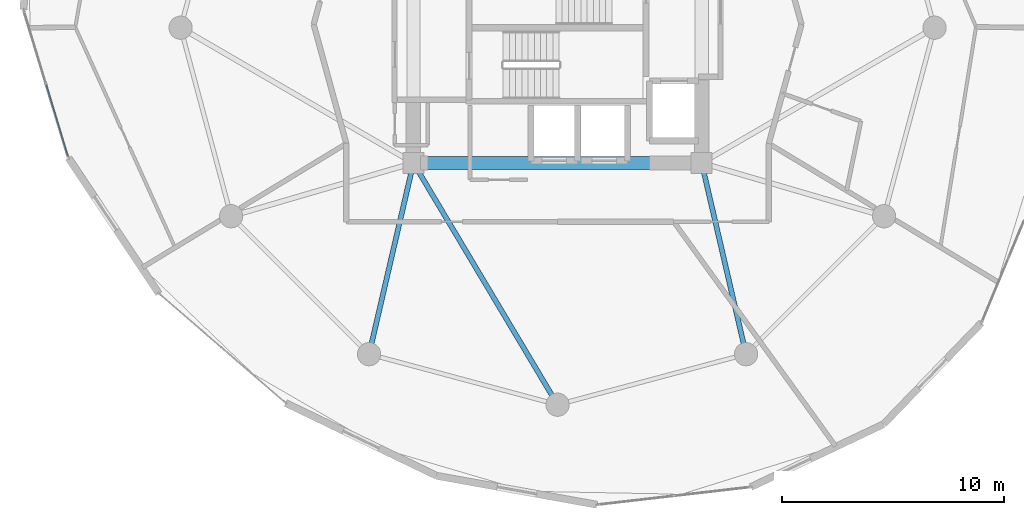
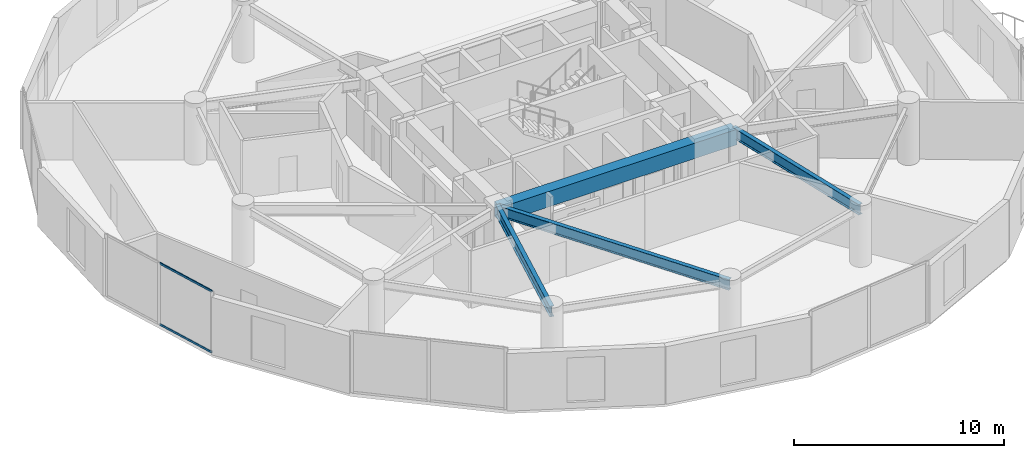
# One storey, part 5 of 26: 4 beams, 2 members, 1 element without a shape of its own.
"""IFC4 building model written with IfcOpenShell, lengths in metres."""

import ifcopenshell
import ifcopenshell.guid

model = None  # the IFC model being written
_history = None  # IfcOwnerHistory: only IFC2X3 demands one
_inside = {}  # id of a spatial element -> (the spatial element, [elements in it])
_under = {}  # id of a project, library or spatial element -> (it, [spatial elements below it])
_declared = {}  # id of a project -> (the project, [libraries it declares])
_typed = {}  # id of a type object -> (the type object, [elements of that type])
_made_of = {}  # id of a material, layer set ... -> (it, [elements and type objects made of it])


def new_model(schema):
    """Start an empty IFC model of exactly this schema.

    Asked for "IFC4X3", IfcOpenShell would pick the latest addendum, in which some entities
    have other attributes; the version numbers below select the first issue.
    IFC2X3 requires an IfcOwnerHistory on every rooted entity: one is made here for all.
    """
    global model, _history
    if schema == "IFC4X3":
        model = ifcopenshell.file(schema_version=(4, 3, 0, 0))
    else:
        model = ifcopenshell.file(schema=schema)
    _inside.clear()
    _under.clear()
    _declared.clear()
    _typed.clear()
    _made_of.clear()
    _history = None
    if model.schema == "IFC2X3":
        org = make("IfcOrganization", Name="unknown")
        user = make(
            "IfcPersonAndOrganization",
            ThePerson=make("IfcPerson", FamilyName="unknown"),
            TheOrganization=org,
        )
        app = make(
            "IfcApplication",
            ApplicationDeveloper=org,
            Version="unknown",
            ApplicationFullName="unknown",
            ApplicationIdentifier="unknown",
        )
        _history = make(
            "IfcOwnerHistory",
            OwningUser=user,
            OwningApplication=app,
            ChangeAction="ADDED",
            CreationDate=0,
        )
    return model


def make(cls, **values):
    """One entity of the class cls with the attributes given. An attribute that is None is left unset."""
    return model.create_entity(
        cls, **{name: value for name, value in values.items() if value is not None}
    )


def rooted(cls, **values):
    """An entity with a GlobalId (a new one), such as an element, a storey or a relation."""
    return make(cls, GlobalId=ifcopenshell.guid.new(), OwnerHistory=_history, **values)


def si_unit(unit_type, name, prefix=None):
    """IfcSIUnit, for example si_unit("LENGTHUNIT", "METRE", prefix="MILLI")."""
    return make("IfcSIUnit", UnitType=unit_type, Prefix=prefix, Name=name)


def assignment(units):
    """IfcUnitAssignment: the units of a project."""
    return None if units is None else make("IfcUnitAssignment", Units=units)


def point(xyz):
    """IfcCartesianPoint."""
    return None if xyz is None else make("IfcCartesianPoint", Coordinates=xyz)


def direction(xyz):
    """IfcDirection."""
    return None if xyz is None else make("IfcDirection", DirectionRatios=xyz)


def frame(location, z_axis=None, x_axis=None):
    """IfcAxis2Placement3D, a coordinate frame: its origin and axes. An axis left out is left unset."""
    return make(
        "IfcAxis2Placement3D",
        Location=point(location),
        Axis=direction(z_axis),
        RefDirection=direction(x_axis),
    )


def frame_2d(location, x_axis=None):
    """IfcAxis2Placement2D, a coordinate frame in the plane: its origin and x axis."""
    return make(
        "IfcAxis2Placement2D", Location=point(location), RefDirection=direction(x_axis)
    )


def origin():
    """The frame at (0, 0, 0) with its axes left unset."""
    return frame((0.0, 0.0, 0.0))


def origin_2d():
    """The frame at (0, 0) in the plane with its x axis left unset."""
    return frame_2d((0.0, 0.0))


def place(relative_to, where):
    """IfcLocalPlacement: puts the frame where relative to a parent placement (None: the world)."""
    return make(
        "IfcLocalPlacement", PlacementRelTo=relative_to, RelativePlacement=where
    )


def context(
    kind, dimensions, precision=None, world=None, true_north=None, identifier=None
):
    """IfcGeometricRepresentationContext, for example the 3D "Model" context."""
    return make(
        "IfcGeometricRepresentationContext",
        ContextIdentifier=identifier,
        ContextType=kind,
        CoordinateSpaceDimension=dimensions,
        Precision=precision,
        WorldCoordinateSystem=world,
        TrueNorth=true_north,
    )


def subcontext(parent, identifier, kind, view, scale=None):
    """IfcGeometricRepresentationSubContext, for example "Body" below "Model"."""
    return make(
        "IfcGeometricRepresentationSubContext",
        ContextIdentifier=identifier,
        ContextType=kind,
        ParentContext=parent,
        TargetScale=scale,
        TargetView=view,
    )


def project(units=None, contexts=None):
    """IfcProject with its units and contexts."""
    return rooted(
        "IfcProject",
        Name="project",
        RepresentationContexts=contexts,
        UnitsInContext=assignment(units),
    )


def spatial(cls, under=None, at=None, **own):
    """A site, building, storey or space (cls), placed at a placement, below another one or the project."""
    s = rooted(cls, ObjectPlacement=at, **own)
    if under is not None:
        _under.setdefault(under.id(), (under, []))[1].append(s)
    return s


def profile(cls, at=None, kind="AREA", **sizes):
    """A parametric profile (cls). Its sizes go by their IFC names, for example OverallWidth=200.0."""
    return make(cls, ProfileType=kind, Position=at, **sizes)


def rectangle(**sizes):
    """IfcRectangleProfileDef."""
    return profile("IfcRectangleProfileDef", **sizes)


def hollow_rectangle(**sizes):
    """IfcRectangleHollowProfileDef."""
    return profile("IfcRectangleHollowProfileDef", **sizes)


def i_section(**sizes):
    """IfcIShapeProfileDef."""
    return profile("IfcIShapeProfileDef", **sizes)


def extrude(swept, where, along, depth):
    """IfcExtrudedAreaSolid: the profile swept, set in the frame where, extruded along a direction by depth."""
    return make(
        "IfcExtrudedAreaSolid",
        SweptArea=swept,
        Position=where,
        ExtrudedDirection=direction(along),
        Depth=depth,
    )


def shape(context_of_items, identifier, shape_type, items):
    """IfcShapeRepresentation: the items that make up one representation, for example the "Body"."""
    return make(
        "IfcShapeRepresentation",
        ContextOfItems=context_of_items,
        RepresentationIdentifier=identifier,
        RepresentationType=shape_type,
        Items=items,
    )


def source(mapping_origin, context_of_items, identifier, shape_type, items):
    """IfcRepresentationMap: a shape defined once, which mapped items show again and again."""
    return make(
        "IfcRepresentationMap",
        MappingOrigin=mapping_origin,
        MappedRepresentation=shape(context_of_items, identifier, shape_type, items),
    )


def transform(
    local_origin,
    x_axis=None,
    y_axis=None,
    z_axis=None,
    scale=None,
    scale2=None,
    scale3=None,
    uniform=True,
):
    """IfcCartesianTransformationOperator3D, or its non-uniform kind. x_axis, y_axis, z_axis: its Axis1, 2, 3."""
    if uniform:
        return make(
            "IfcCartesianTransformationOperator3D",
            Axis1=direction(x_axis),
            Axis2=direction(y_axis),
            LocalOrigin=point(local_origin),
            Scale=scale,
            Axis3=direction(z_axis),
        )
    return make(
        "IfcCartesianTransformationOperator3DnonUniform",
        Axis1=direction(x_axis),
        Axis2=direction(y_axis),
        LocalOrigin=point(local_origin),
        Scale=scale,
        Axis3=direction(z_axis),
        Scale2=scale2,
        Scale3=scale3,
    )


def mapped(mapping_source, mapping_target):
    """IfcMappedItem: shows the shape of a source again, moved by a transform."""
    return make(
        "IfcMappedItem", MappingSource=mapping_source, MappingTarget=mapping_target
    )


def material(Name=None, Category=None):
    """IfcMaterial."""
    return make("IfcMaterial", Name=Name, Category=Category)


def layer(
    of_material, thickness, ventilated=None, Name=None, Category=None, Priority=None
):
    """IfcMaterialLayer: one layer of a wall or slab, of a material (None: an air gap)."""
    return make(
        "IfcMaterialLayer",
        Material=of_material,
        LayerThickness=thickness,
        IsVentilated=ventilated,
        Name=Name,
        Category=Category,
        Priority=Priority,
    )


def layer_set(layers, Name=None):
    """IfcMaterialLayerSet."""
    return make("IfcMaterialLayerSet", MaterialLayers=layers, LayerSetName=Name)


def material_profile(
    of_material, cross_section, Name=None, Category=None, Priority=None
):
    """IfcMaterialProfile: a cross section and its material."""
    return make(
        "IfcMaterialProfile",
        Name=Name,
        Material=of_material,
        Profile=cross_section,
        Priority=Priority,
        Category=Category,
    )


def profile_set(profiles, Name=None, composite=None):
    """IfcMaterialProfileSet."""
    return make(
        "IfcMaterialProfileSet",
        Name=Name,
        MaterialProfiles=profiles,
        CompositeProfile=composite,
    )


def made_of(thing, what):
    """Note that an element or type object is made of a material, layer set ...; save() writes the relation."""
    if what is not None:
        _made_of.setdefault(what.id(), (what, []))[1].append(thing)
    return thing


def type_object(cls, material=None, **own):
    """A type object (cls), such as IfcWallType, which elements share."""
    return made_of(rooted(cls, **own), material)


def element(
    cls,
    number,
    at=None,
    inside=None,
    cuts=None,
    type_object=None,
    material=None,
    context=None,
    identifier="Body",
    shape_type=None,
    held_by="IfcProductDefinitionShape",
    body=None,
    shapes=None,
    **own,
):
    """One element of the class cls, such as IfcWall. Its Tag is "e" and its number.

    at: its placement. inside: the storey or other place that contains it. cuts: it is an
    opening in that element (IfcRelVoidsElement). A single representation is given by context,
    identifier, shape_type and body (its items); several are given by shapes. held_by: the class
    of the entity that holds the representations. save() writes the other relations.
    """
    e = rooted(cls, Tag="e%d" % number, ObjectPlacement=at, **own)
    if body is not None:
        shapes = [shape(context, identifier, shape_type, body)]
    if shapes is not None:
        e.Representation = make(held_by, Representations=shapes)
    if inside is not None:
        _inside.setdefault(inside.id(), (inside, []))[1].append(e)
    if cuts is not None:
        rooted(
            "IfcRelVoidsElement", RelatingBuildingElement=cuts, RelatedOpeningElement=e
        )
    if type_object is not None:
        _typed.setdefault(type_object.id(), (type_object, []))[1].append(e)
    return made_of(e, material)


def aggregate(whole, parts):
    """IfcRelAggregates: a whole, such as a stair, and the parts it consists of."""
    return rooted("IfcRelAggregates", RelatingObject=whole, RelatedObjects=parts)


def save(model, path):
    """Write the relations noted so far, then the file.

    IfcRelAggregates (storeys below a building ...), IfcRelContainedInSpatialStructure (elements
    in a storey), IfcRelDefinesByType, IfcRelAssociatesMaterial and IfcRelDeclares: one each for
    every whole, place, type object, material and project.
    """
    for whole, parts in _under.values():
        aggregate(whole, parts)
    for where, things in _inside.values():
        rooted(
            "IfcRelContainedInSpatialStructure",
            RelatedElements=things,
            RelatingStructure=where,
        )
    for kind, things in _typed.values():
        rooted("IfcRelDefinesByType", RelatedObjects=things, RelatingType=kind)
    for what, things in _made_of.values():
        rooted("IfcRelAssociatesMaterial", RelatedObjects=things, RelatingMaterial=what)
    for by, libraries in _declared.values():
        rooted("IfcRelDeclares", RelatingContext=by, RelatedDefinitions=libraries)
    model.write(path)


model = new_model("IFC4")

# Units and contexts
model_context = context("Model", 3, precision=1e-05, world=origin(), true_north=direction((0.0, 1.0)))
body_context = subcontext(model_context, "Body", "Model", "MODEL_VIEW")
ifc_project = project(units=[si_unit("LENGTHUNIT", "METRE"), si_unit("AREAUNIT", "SQUARE_METRE"), si_unit("VOLUMEUNIT", "CUBIC_METRE"), si_unit("PLANEANGLEUNIT", "RADIAN"), si_unit("MASSUNIT", "GRAM", prefix="KILO")], contexts=[model_context])

# Site, building, storey
site_placement = place(None, origin())
site = spatial("IfcSite", under=ifc_project, at=site_placement, CompositionType="ELEMENT")
building_placement = place(site_placement, origin())
building = spatial("IfcBuilding", under=site, at=building_placement, Name="Solvirekh Grand Hotel", CompositionType="ELEMENT")
storey_placement = place(building_placement, frame((0.0, 0.0, 113.39990234375)))
storey = spatial("IfcBuildingStorey", under=building, at=storey_placement, Name="L28", CompositionType="ELEMENT", Elevation=113.39990234375)

# Beams
ifc_material_1 = material(Name="Concrete C50/60", Category="concrete")
ifc_material_profile_1 = material_profile(ifc_material_1, rectangle(XDim=0.60009765625, YDim=0.89990234375, at=origin_2d()), Name="RC BEAM 600X900")
ifc_profile_set_1 = profile_set([ifc_material_profile_1], Name="Concrete C50/60")
beam_type_1 = type_object("IfcBeamType", Name="Beam_Core_RC900", PredefinedType="BEAM", material=ifc_profile_set_1)
beam_1_placement = place(storey_placement, frame((-6.5, -6.10009765625, 2.900146484375), z_axis=(1.0, 0.0, 0.0), x_axis=(0.0, 1.0, 0.0)))
element("IfcBeam", 1, at=beam_1_placement, inside=storey, type_object=beam_type_1, Name="L28 core coupling ring beam 1", PredefinedType="BEAM", context=body_context, shape_type="SweptSolid", body=[
    extrude(rectangle(XDim=0.60009765625, YDim=0.89990234375, at=origin_2d()), origin(), (0.0, 0.0, 1.0), 13.0),
])
ifc_material_2 = material(Name="Steel S355", Category="steel")
ifc_material_profile_2 = material_profile(ifc_material_2, i_section(OverallWidth=0.22802734375, OverallDepth=0.616943359375, WebThickness=0.012939453125, FlangeThickness=0.02001953125, FilletRadius=0.014892578125, at=origin_2d()), Name="W610X140")
ifc_profile_set_2 = profile_set([ifc_material_profile_2], Name="Steel S355")
beam_type_2 = type_object("IfcBeamType", Name="Beam_Radial_W610", PredefinedType="BEAM", material=ifc_profile_set_2)
beam_2_placement = place(storey_placement, frame((-6.5, -6.10009765625, 3.0419921875), z_axis=(-0.225969390542, -0.974134402707, 0.0), x_axis=(0.974134402707, -0.225969390542, 0.0)))
element("IfcBeam", 2, at=beam_2_placement, inside=storey, type_object=beam_type_2, Name="L28 radial floor beam R09", PredefinedType="BEAM", context=body_context, shape_type="SweptSolid", body=[
    extrude(i_section(OverallWidth=0.22802734375, OverallDepth=0.616943359375, WebThickness=0.012939453125, FlangeThickness=0.02001953125, FilletRadius=0.014892578125, at=origin_2d()), origin(), (0.0, 0.0, 1.0), 8.850830078125),
])
beam_3_placement = place(storey_placement, frame((-6.5, -6.10009765625, 3.0419921875), z_axis=(0.512179721377, -0.858878299301, 0.0), x_axis=(0.858878299301, 0.512179721377, 0.0)))
element("IfcBeam", 3, at=beam_3_placement, inside=storey, type_object=beam_type_2, Name="L28 radial floor beam R10", PredefinedType="BEAM", context=body_context, shape_type="SweptSolid", body=[
    extrude(i_section(OverallWidth=0.22802734375, OverallDepth=0.616943359375, WebThickness=0.012939453125, FlangeThickness=0.02001953125, FilletRadius=0.014892578125, at=origin_2d()), origin(), (0.0, 0.0, 1.0), 12.69091796875),
])
beam_4_placement = place(storey_placement, frame((6.5, -6.10009765625, 3.0419921875), z_axis=(0.225969390542, -0.974134402707, 0.0), x_axis=(0.974134402707, 0.225969390542, 0.0)))
element("IfcBeam", 4, at=beam_4_placement, inside=storey, type_object=beam_type_2, Name="L28 radial floor beam R11", PredefinedType="BEAM", context=body_context, shape_type="SweptSolid", body=[
    extrude(i_section(OverallWidth=0.22802734375, OverallDepth=0.616943359375, WebThickness=0.012939453125, FlangeThickness=0.02001953125, FilletRadius=0.014892578125, at=origin_2d()), origin(), (0.0, 0.0, 1.0), 8.850830078125),
])

# Curtain wall, members
ifc_material_3 = material(Name="Anodized Bronze Aluminium 6063-T6", Category="aluminium")
ifc_layer = layer(ifc_material_3, 0.175048828125)
ifc_layer_set = layer_set([ifc_layer], Name="Anodized Bronze Aluminium 6063-T6")
curtain_wall_type = type_object("IfcCurtainWallType", Name="CW_Sys3_MidZoneFlushBronzeCW", PredefinedType="NOTDEFINED", material=ifc_layer_set)
curtain_wall_placement = place(storey_placement, origin())
curtain_wall = element("IfcCurtainWall", 5, at=curtain_wall_placement, inside=storey, type_object=curtain_wall_type, Name="L28 unitised bronze-glass curtain wall CW-L28-C13", PredefinedType="NOTDEFINED")
ifc_material_profile_3 = material_profile(ifc_material_3, hollow_rectangle(XDim=0.054931640625, YDim=0.1201171875, WallThickness=0.00390625, at=origin_2d()), Name="ALU RHS 120X55X4")
ifc_profile_set_3 = profile_set([ifc_material_profile_3], Name="Anodized Bronze Aluminium 6063-T6")
member_type = type_object("IfcMemberType", Name="CWTransom_Sys3", PredefinedType="USERDEFINED", material=ifc_profile_set_3)
shared_shape = source(origin(), body_context, "Body", "SweptSolid", [
    extrude(hollow_rectangle(XDim=0.054931640625, YDim=0.1201171875, WallThickness=0.00390625, at=origin_2d()), origin(), (0.0, 0.0, 1.0), 3.397216796875),
])
member_1_placement = place(storey_placement, frame((-23.06005859375, -2.560546875, 0.027587890625), z_axis=(0.289977476348, -0.957033470267, 0.0), x_axis=(0.957033470267, 0.289977476348, 0.0)))
member_1 = element("IfcMember", 6, at=member_1_placement, type_object=member_type, Name="U03 transom 2.1", ObjectType="TRANSOM", PredefinedType="USERDEFINED", context=body_context, shape_type="MappedRepresentation", body=[
    mapped(shared_shape, transform((0.0, 0.0, 0.0), x_axis=(1.0, 0.0, 0.0), y_axis=(0.0, 1.0, 0.0), z_axis=(0.0, 0.0, 1.0), scale=1.0)),
])
member_2_placement = place(storey_placement, frame((-23.06005859375, -2.560546875, 3.572509765625), z_axis=(0.289977476348, -0.957033470267, 0.0), x_axis=(0.957033470267, 0.289977476348, 0.0)))
member_2 = element("IfcMember", 7, at=member_2_placement, type_object=member_type, Name="U03 transom 2.2", ObjectType="TRANSOM", PredefinedType="USERDEFINED", context=body_context, shape_type="MappedRepresentation", body=[
    mapped(shared_shape, transform((0.0, 0.0, 0.0), x_axis=(1.0, 0.0, 0.0), y_axis=(0.0, 1.0, 0.0), z_axis=(0.0, 0.0, 1.0), scale=1.0)),
])
aggregate(curtain_wall, [member_1, member_2])

save(model, "model.ifc")
